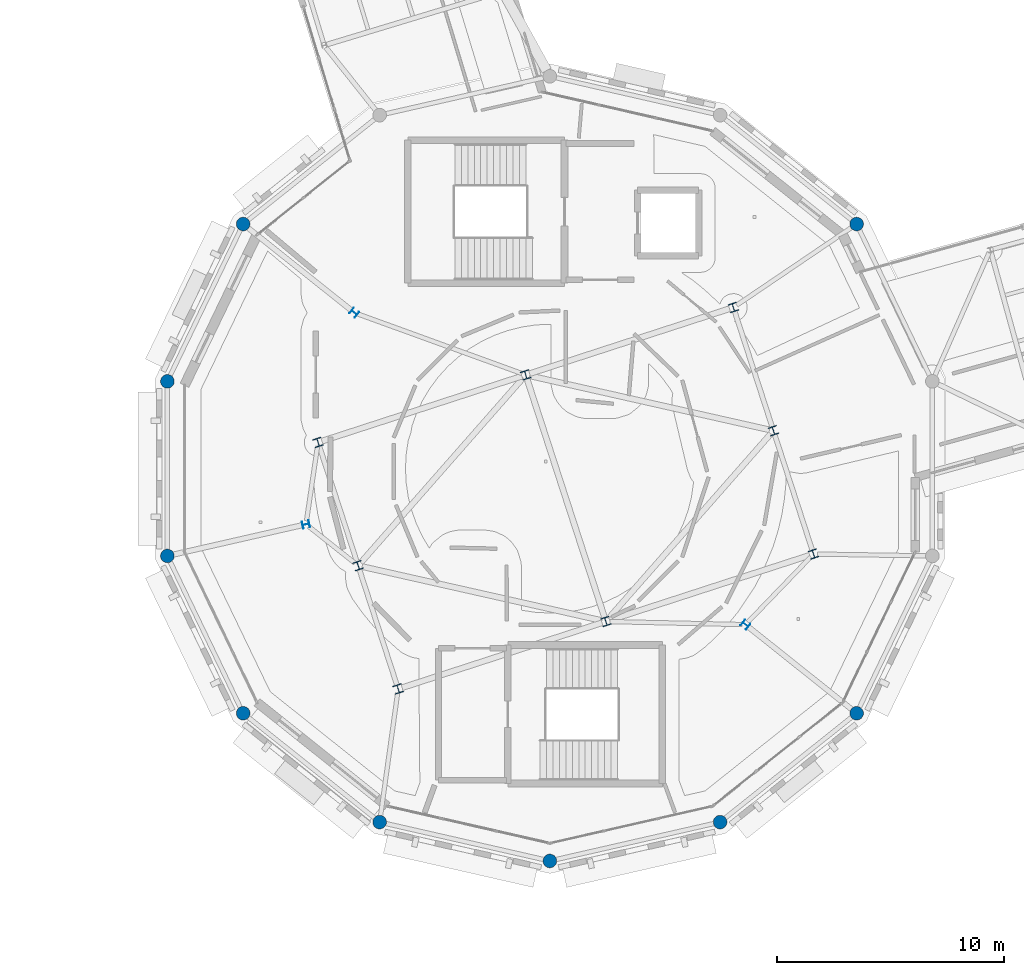
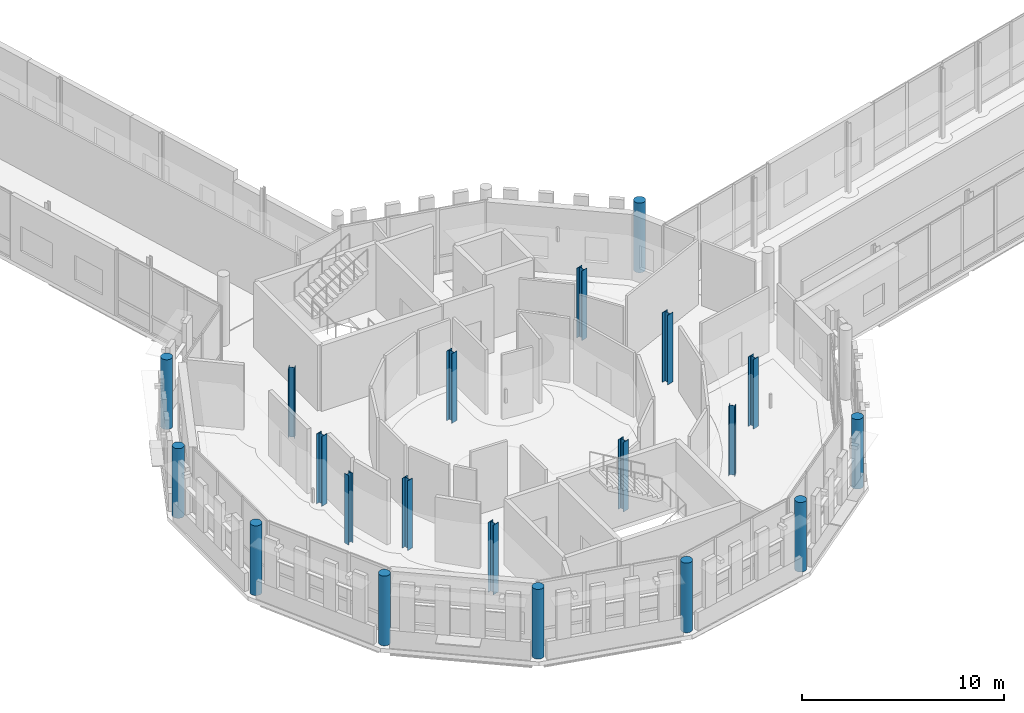
# One storey, part 1 of 125: 20 columns.
"""IFC4 building model written with IfcOpenShell, lengths in metres."""

from ifc_helpers import new_model, si_unit, direction, frame, origin, origin_2d, place, context, subcontext, project, spatial, circle, i_section, extrude, material, material_profile, profile_set, type_object, element, save


model = new_model("IFC4")

# Units and contexts
model_context = context("Model", 3, precision=1e-05, world=origin(), true_north=direction((0.0, 1.0)))
body_context = subcontext(model_context, "Body", "Model", "MODEL_VIEW")
ifc_project = project(units=[si_unit("LENGTHUNIT", "METRE"), si_unit("AREAUNIT", "SQUARE_METRE"), si_unit("VOLUMEUNIT", "CUBIC_METRE"), si_unit("PLANEANGLEUNIT", "RADIAN"), si_unit("MASSUNIT", "GRAM", prefix="KILO")], contexts=[model_context])

# Site, building, storey
site_placement = place(None, origin())
site = spatial("IfcSite", under=ifc_project, at=site_placement, CompositionType="ELEMENT")
building_placement = place(site_placement, origin())
building = spatial("IfcBuilding", under=site, at=building_placement, Name="Wrenclough Park School", CompositionType="ELEMENT")
storey_placement = place(building_placement, frame((0.0, 0.0, 4.199951171875)))
storey = spatial("IfcBuildingStorey", under=building, at=storey_placement, Name="L01", CompositionType="ELEMENT", Elevation=4.199951171875)

# Columns
ifc_material_1 = material(Name="Concrete C40/50", Category="concrete")
ifc_material_profile_1 = material_profile(ifc_material_1, circle(Radius=0.300048828125, at=origin_2d()), Name="RC COL D600")
ifc_profile_set_1 = profile_set([ifc_material_profile_1], Name="Concrete C40/50")
column_type_1 = type_object("IfcColumnType", Name="STR-COL-RCD600", PredefinedType="COLUMN", material=ifc_profile_set_1)
for number, where, z_axis, x_axis, name in (
    (1, (49.986572265625, 34.255126953125, 0.0), (0.0, 0.0, 1.0), (-0.623470308046, 0.781847027868, 0.0), "D2 L01 column D2-OUT-02"),
    (2, (23.013427734375, 34.255126953125, 0.0), (0.0, 0.0, 1.0), (-0.623470308046, -0.781847027868, 0.0), "D2 L01 column D2-OUT-06"),
    (3, (19.6826171875, 27.33837890625, 0.0), (0.0, 0.0, 1.0), (-0.222569549971, -0.974916814618, 0.0), "D2 L01 column D2-OUT-07"),
    (4, (19.6826171875, 19.66162109375, 0.0), (0.0, 0.0, 1.0), (0.222569549971, -0.974916814618, 0.0), "D2 L01 column D2-OUT-08"),
    (5, (23.013427734375, 12.744873046875, 0.0), (0.0, 0.0, 1.0), (0.623470308046, -0.781847027868, 0.0), "D2 L01 column D2-OUT-09"),
    (6, (29.015380859375, 7.958251953125, 0.0), (0.0, 0.0, 1.0), (0.90100131981, -0.43381634559, 0.0), "D2 L01 column D2-OUT-10"),
    (7, (36.5, 6.25, 0.0), (0.0, 0.0, 1.0), (1.0, 0.0, 0.0), "D2 L01 column D2-OUT-11"),
    (8, (43.984619140625, 7.958251953125, 0.0), (0.0, 0.0, 1.0), (0.90100131981, 0.43381634559, 0.0), "D2 L01 column D2-OUT-12"),
    (9, (49.986572265625, 12.744873046875, 0.0), (0.0, 0.0, 1.0), (0.623470308046, 0.781847027868, 0.0), "D2 L01 column D2-OUT-13"),
):
    element("IfcColumn", number, at=place(storey_placement, frame(where, z_axis=z_axis, x_axis=x_axis)), inside=storey, type_object=column_type_1, Name=name, PredefinedType="COLUMN", context=body_context, shape_type="SweptSolid", body=[
        extrude(circle(Radius=0.300048828125, at=origin_2d()), origin(), (0.0, 0.0, 1.0), 4.199951171875),
    ])
ifc_material_2 = material(Name="Structural steel S355", Category="steel")
ifc_material_profile_2 = material_profile(ifc_material_2, i_section(OverallWidth=0.307373046875, OverallDepth=0.314453125, WebThickness=0.011962890625, FlangeThickness=0.018798828125, FilletRadius=0.01513671875, at=origin_2d()), Name="UKC 305x305x118")
ifc_profile_set_2 = profile_set([ifc_material_profile_2], Name="Structural steel S355")
column_type_2 = type_object("IfcColumnType", Name="STR-COL-UKC305A", PredefinedType="COLUMN", material=ifc_profile_set_2)
for number, where, z_axis, x_axis, name in (
    (10, (27.89990234375, 30.3583984375, 0.0), (0.0, 0.0, 1.0), (-0.623470308046, -0.781847027868, 0.0), "D2 L01 column D2-MID-06"),
    (11, (25.77587890625, 21.05224609375, 0.0), (0.0, 0.0, 1.0), (0.222569549971, -0.974916814618, 0.0), "D2 L01 column D2-MID-08"),
    (12, (45.10009765625, 16.6416015625, 0.0), (0.0, 0.0, 1.0), (0.623470308046, 0.781847027868, 0.0), "D2 L01 column D2-MID-13"),
):
    element("IfcColumn", number, at=place(storey_placement, frame(where, z_axis=z_axis, x_axis=x_axis)), inside=storey, type_object=column_type_2, Name=name, PredefinedType="COLUMN", context=body_context, shape_type="SweptSolid", body=[
        extrude(i_section(OverallWidth=0.307373046875, OverallDepth=0.314453125, WebThickness=0.011962890625, FlangeThickness=0.018798828125, FilletRadius=0.01513671875, at=origin_2d()), origin(), (0.0, 0.0, 1.0), 4.199951171875),
    ])
ifc_material_profile_3 = material_profile(ifc_material_2, i_section(OverallWidth=0.37255859375, OverallDepth=0.3681640625, WebThickness=0.014404296875, FlangeThickness=0.023681640625, FilletRadius=0.01513671875, at=origin_2d()), Name="UKC 356x368x177")
ifc_profile_set_3 = profile_set([ifc_material_profile_3], Name="Structural steel S355")
column_type_3 = type_object("IfcColumnType", Name="STR-COL-UKC356", PredefinedType="COLUMN", material=ifc_profile_set_3)
for number, where, z_axis, x_axis, name in (
    (13, (29.831298828125, 13.8125, 0.0), (0.0, 0.0, 1.0), (0.951056516295, 0.309016994375, 0.0), "D2 L01 column D2HR-0-0"),
    (14, (28.06982421875, 19.2333984375, 0.0), (0.0, 0.0, 1.0), (0.951056516295, 0.309016994375, 0.0), "D2 L01 column D2HR-0-1"),
    (15, (26.30859375, 24.654541015625, 0.0), (0.0, 0.0, 1.0), (0.951056516295, 0.309016994375, 0.0), "D2 L01 column D2HR-0-2"),
    (16, (38.96142578125, 16.779052734375, 0.0), (0.0, 0.0, 1.0), (0.951056516295, 0.309016994375, 0.0), "D2 L01 column D2HR-1-0"),
    (17, (35.438720703125, 27.62109375, 0.0), (0.0, 0.0, 1.0), (0.951056516295, 0.309016994375, 0.0), "D2 L01 column D2HR-1-2"),
    (18, (48.091552734375, 19.74560546875, 0.0), (0.0, 0.0, 1.0), (0.951056516295, 0.309016994375, 0.0), "D2 L01 column D2HR-2-0"),
    (19, (46.330078125, 25.16650390625, 0.0), (0.0, 0.0, 1.0), (0.951056516295, 0.309016994375, 0.0), "D2 L01 column D2HR-2-1"),
    (20, (44.568603515625, 30.587646484375, 0.0), (0.0, 0.0, 1.0), (0.951056516295, 0.309016994375, 0.0), "D2 L01 column D2HR-2-2"),
):
    element("IfcColumn", number, at=place(storey_placement, frame(where, z_axis=z_axis, x_axis=x_axis)), inside=storey, type_object=column_type_3, Name=name, PredefinedType="COLUMN", context=body_context, shape_type="SweptSolid", body=[
        extrude(i_section(OverallWidth=0.37255859375, OverallDepth=0.3681640625, WebThickness=0.014404296875, FlangeThickness=0.023681640625, FilletRadius=0.01513671875, at=origin_2d()), origin(), (0.0, 0.0, 1.0), 4.199951171875),
    ])

save(model, "model.ifc")
